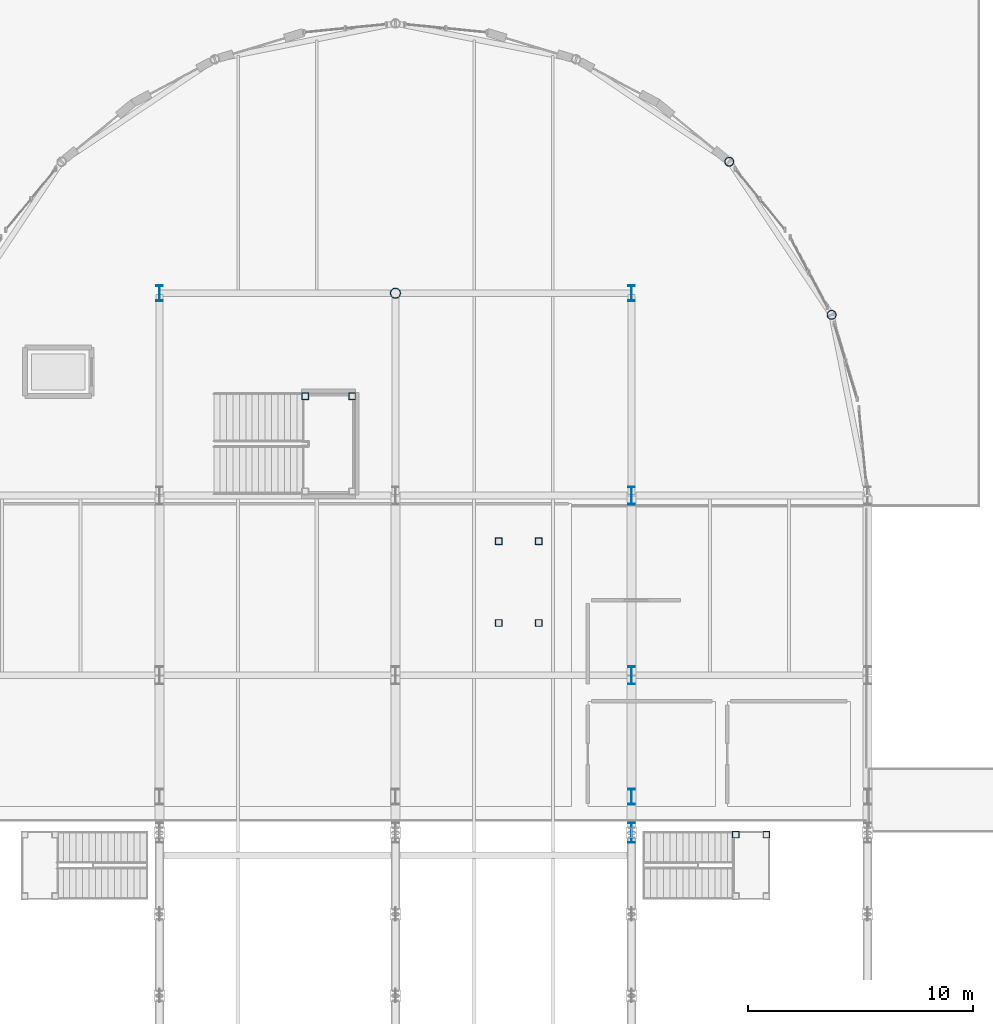
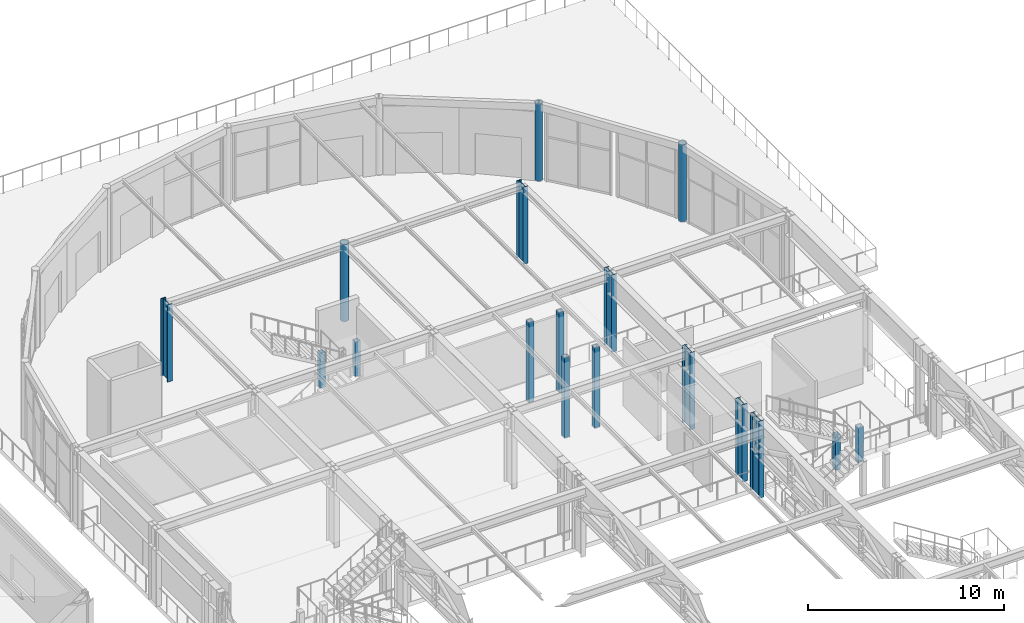
# One storey, part 14 of 143: 17 columns.
"""IFC4 building model written with IfcOpenShell, lengths in metres."""

from ifc_helpers import new_model, si_unit, direction, frame, origin, origin_2d, place, context, subcontext, project, spatial, hollow_rectangle, hollow_circle, i_section, extrude, material, material_profile, profile_set, type_object, element, save


model = new_model("IFC4")

# Units and contexts
model_context = context("Model", 3, precision=1e-05, world=origin(), true_north=direction((0.0, 1.0)))
body_context = subcontext(model_context, "Body", "Model", "MODEL_VIEW")
ifc_project = project(units=[si_unit("LENGTHUNIT", "METRE"), si_unit("AREAUNIT", "SQUARE_METRE"), si_unit("VOLUMEUNIT", "CUBIC_METRE"), si_unit("PLANEANGLEUNIT", "RADIAN"), si_unit("MASSUNIT", "GRAM", prefix="KILO")], contexts=[model_context])

# Site, building, storey
site_placement = place(None, origin())
site = spatial("IfcSite", under=ifc_project, at=site_placement, CompositionType="ELEMENT")
building_placement = place(site_placement, origin())
building = spatial("IfcBuilding", under=site, at=building_placement, Name="Marlcrest Central Station", CompositionType="ELEMENT")
storey_placement = place(building_placement, frame((0.0, 0.0, 4.800048828125)))
storey = spatial("IfcBuildingStorey", under=building, at=storey_placement, Name="L01", CompositionType="ELEMENT", Elevation=4.800048828125)

# Columns
ifc_material = material(Name="Steel S355", Category="steel")
ifc_material_profile_1 = material_profile(ifc_material, i_section(OverallWidth=0.300048828125, OverallDepth=0.699951171875, WebThickness=0.01708984375, FlangeThickness=0.031982421875, FilletRadius=0.027099609375, at=origin_2d()), Name="HEB 700")
ifc_profile_set_1 = profile_set([ifc_material_profile_1], Name="Steel S355")
column_type_1 = type_object("IfcColumnType", Name="SC-07", PredefinedType="COLUMN", material=ifc_profile_set_1)
for number, where, z_axis, x_axis, name in (
    (1, (97.5, 119.5, 0.0), (0.0, 0.0, 1.0), (1.0, 0.0, 0.0), "col-SC-07-L01-0872"),
    (2, (118.5, 119.5, 0.0), (0.0, 0.0, 1.0), (1.0, 0.0, 0.0), "col-SC-07-L01-0880"),
    (3, (118.5, 97.10009765625, 0.0), (0.0, 0.0, 1.0), (1.0, 0.0, 0.0), "col-SC-07-L01-0894"),
):
    element("IfcColumn", number, at=place(storey_placement, frame(where, z_axis=z_axis, x_axis=x_axis)), inside=storey, type_object=column_type_1, Name=name, PredefinedType="COLUMN", context=body_context, shape_type="SweptSolid", body=[
        extrude(i_section(OverallWidth=0.300048828125, OverallDepth=0.699951171875, WebThickness=0.01708984375, FlangeThickness=0.031982421875, FilletRadius=0.027099609375, at=origin_2d()), origin(), (0.0, 0.0, 1.0), 4.81494140625),
    ])
ifc_material_profile_2 = material_profile(ifc_material, i_section(OverallWidth=0.300048828125, OverallDepth=0.800048828125, WebThickness=0.017578125, FlangeThickness=0.032958984375, FilletRadius=0.030029296875, at=origin_2d()), Name="HEB 800")
ifc_profile_set_2 = profile_set([ifc_material_profile_2], Name="Steel S355")
column_type_2 = type_object("IfcColumnType", Name="SC-08", PredefinedType="COLUMN", material=ifc_profile_set_2)
for number, where, z_axis, x_axis, name in (
    (4, (118.5, 102.5, 0.0), (0.0, 0.0, 1.0), (1.0, 0.0, 0.0), "col-SC-08-L01-0758"),
    (5, (118.5, 110.5, 0.0), (0.0, 0.0, 1.0), (1.0, 0.0, 0.0), "col-SC-08-L01-0776"),
):
    element("IfcColumn", number, at=place(storey_placement, frame(where, z_axis=z_axis, x_axis=x_axis)), inside=storey, type_object=column_type_2, Name=name, PredefinedType="COLUMN", context=body_context, shape_type="SweptSolid", body=[
        extrude(i_section(OverallWidth=0.300048828125, OverallDepth=0.800048828125, WebThickness=0.017578125, FlangeThickness=0.032958984375, FilletRadius=0.030029296875, at=origin_2d()), origin(), (0.0, 0.0, 1.0), 4.81494140625),
    ])
ifc_material_profile_3 = material_profile(ifc_material, i_section(OverallWidth=0.300048828125, OverallDepth=0.89990234375, WebThickness=0.0185546875, FlangeThickness=0.034912109375, FilletRadius=0.030029296875, at=origin_2d()), Name="HEB 900")
ifc_profile_set_3 = profile_set([ifc_material_profile_3], Name="Steel S355")
column_type_3 = type_object("IfcColumnType", Name="SC-09", PredefinedType="COLUMN", material=ifc_profile_set_3)
column_1_placement = place(storey_placement, frame((118.5, 95.5, 0.0), z_axis=(0.0, 0.0, 1.0), x_axis=(1.0, 0.0, 0.0)))
element("IfcColumn", 6, at=column_1_placement, inside=storey, type_object=column_type_3, Name="col-SC-09-L01-0656", PredefinedType="COLUMN", context=body_context, shape_type="SweptSolid", body=[
    extrude(i_section(OverallWidth=0.300048828125, OverallDepth=0.89990234375, WebThickness=0.0185546875, FlangeThickness=0.034912109375, FilletRadius=0.030029296875, at=origin_2d()), origin(), (0.0, 0.0, 1.0), 4.81494140625),
])
ifc_material_profile_4 = material_profile(ifc_material, hollow_circle(Radius=0.203125, WallThickness=0.02001953125, at=origin_2d()), Name="CHS 406.4x20")
ifc_profile_set_4 = profile_set([ifc_material_profile_4], Name="Steel S355")
column_type_4 = type_object("IfcColumnType", Name="SC-10", PredefinedType="COLUMN", material=ifc_profile_set_4)
for number, where, z_axis, x_axis, name in (
    (7, (122.84912109375, 125.34912109375, 0.0), (0.0, 0.0, 1.0), (1.0, 0.0, 0.0), "col-SC-10-L01-0864"),
    (8, (127.40087890625, 118.535888671875, 0.0), (0.0, 0.0, 1.0), (1.0, 0.0, 0.0), "col-SC-10-L01-0868"),
):
    element("IfcColumn", number, at=place(storey_placement, frame(where, z_axis=z_axis, x_axis=x_axis)), inside=storey, type_object=column_type_4, Name=name, PredefinedType="COLUMN", context=body_context, shape_type="SweptSolid", body=[
        extrude(hollow_circle(Radius=0.203125, WallThickness=0.02001953125, at=origin_2d()), origin(), (0.0, 0.0, 1.0), 4.81005859375),
    ])
ifc_material_profile_5 = material_profile(ifc_material, hollow_circle(Radius=0.228515625, WallThickness=0.02001953125, at=origin_2d()), Name="CHS 457x20")
ifc_profile_set_5 = profile_set([ifc_material_profile_5], Name="Steel S355")
column_type_5 = type_object("IfcColumnType", Name="SC-11", PredefinedType="COLUMN", material=ifc_profile_set_5)
column_2_placement = place(storey_placement, frame((108.0, 119.5, 0.0), z_axis=(0.0, 0.0, 1.0), x_axis=(1.0, 0.0, 0.0)))
element("IfcColumn", 9, at=column_2_placement, inside=storey, type_object=column_type_5, Name="col-SC-11-L01-0876", PredefinedType="COLUMN", context=body_context, shape_type="SweptSolid", body=[
    extrude(hollow_circle(Radius=0.228515625, WallThickness=0.02001953125, at=origin_2d()), origin(), (0.0, 0.0, 1.0), 4.81494140625),
])
ifc_material_profile_6 = material_profile(ifc_material, hollow_rectangle(XDim=0.300048828125, YDim=0.300048828125, WallThickness=0.01611328125, at=origin_2d()), Name="SHS 300x300x16")
ifc_profile_set_6 = profile_set([ifc_material_profile_6], Name="Steel S355")
column_type_6 = type_object("IfcColumnType", Name="SC-19", PredefinedType="COLUMN", material=ifc_profile_set_6)
for number, where, z_axis, x_axis, name in (
    (10, (123.139892578125, 95.419921875, 0.0), (0.0, 0.0, 1.0), (1.0, 0.0, 0.0), "stcol-hi1-0030-1231-954"),
    (11, (124.5, 95.419921875, 0.0), (0.0, 0.0, 1.0), (1.0, 0.0, 0.0), "stcol-hi1-0030-1245-954"),
    (12, (106.070068359375, 114.919921875, 0.0), (0.0, 0.0, 1.0), (1.0, 0.0, 0.0), "htcol-lo-0034-2"),
    (13, (103.989990234375, 114.919921875, 0.0), (0.0, 0.0, 1.0), (1.0, 0.0, 0.0), "htcol-lo-0034-3"),
):
    element("IfcColumn", number, at=place(storey_placement, frame(where, z_axis=z_axis, x_axis=x_axis)), inside=storey, type_object=column_type_6, Name=name, PredefinedType="COLUMN", context=body_context, shape_type="SweptSolid", body=[
        extrude(hollow_rectangle(XDim=0.300048828125, YDim=0.300048828125, WallThickness=0.01611328125, at=origin_2d()), origin(), (0.0, 0.0, 1.0), 2.179931640625),
    ])
for number, where, z_axis, x_axis, name in (
    (14, (112.590087890625, 104.830078125, 0.0), (0.0, 0.0, 1.0), (1.0, 0.0, 0.0), "htcol-L01-0036-0"),
    (15, (114.3701171875, 104.830078125, 0.0), (0.0, 0.0, 1.0), (1.0, 0.0, 0.0), "htcol-L01-0036-1"),
    (16, (114.3701171875, 108.469970703125, 0.0), (0.0, 0.0, 1.0), (1.0, 0.0, 0.0), "htcol-L01-0036-2"),
    (17, (112.590087890625, 108.469970703125, 0.0), (0.0, 0.0, 1.0), (1.0, 0.0, 0.0), "htcol-L01-0036-3"),
):
    element("IfcColumn", number, at=place(storey_placement, frame(where, z_axis=z_axis, x_axis=x_axis)), inside=storey, type_object=column_type_6, Name=name, PredefinedType="COLUMN", context=body_context, shape_type="SweptSolid", body=[
        extrude(hollow_rectangle(XDim=0.300048828125, YDim=0.300048828125, WallThickness=0.01611328125, at=origin_2d()), origin(), (0.0, 0.0, 1.0), 5.0),
    ])

save(model, "model.ifc")
